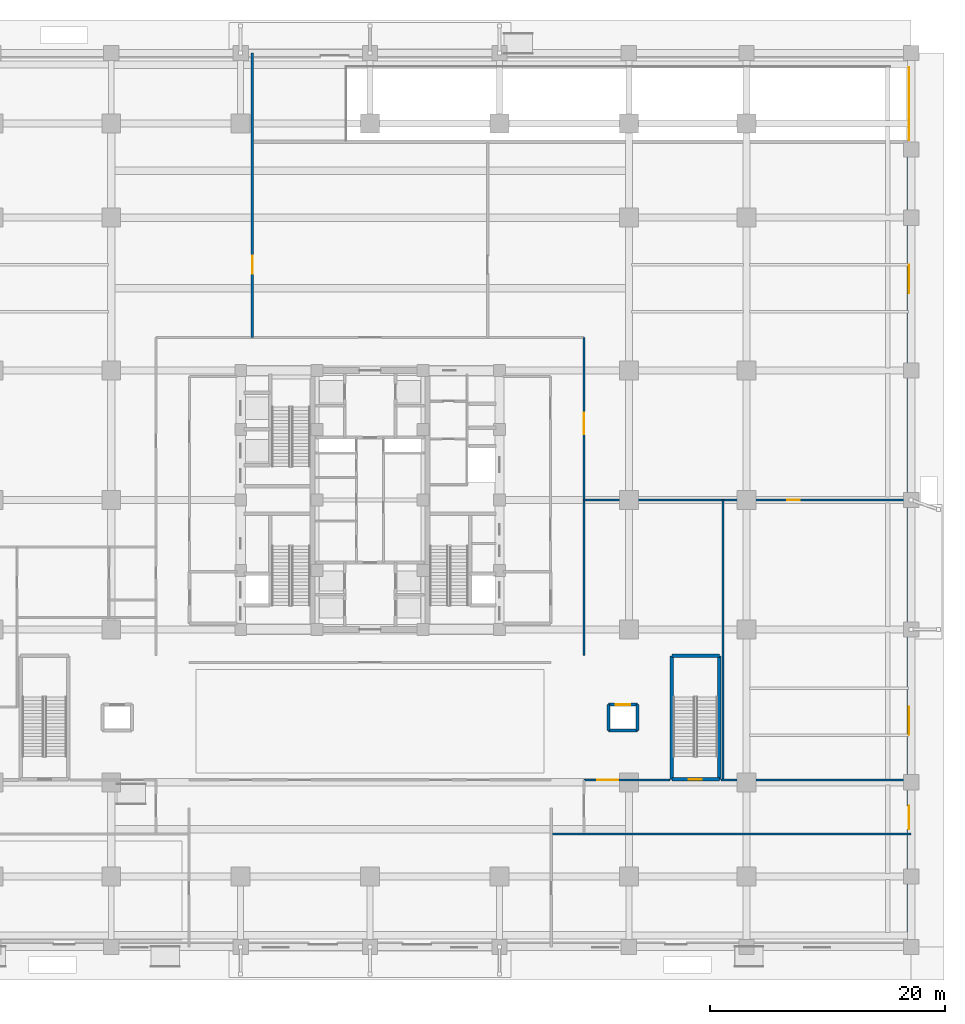
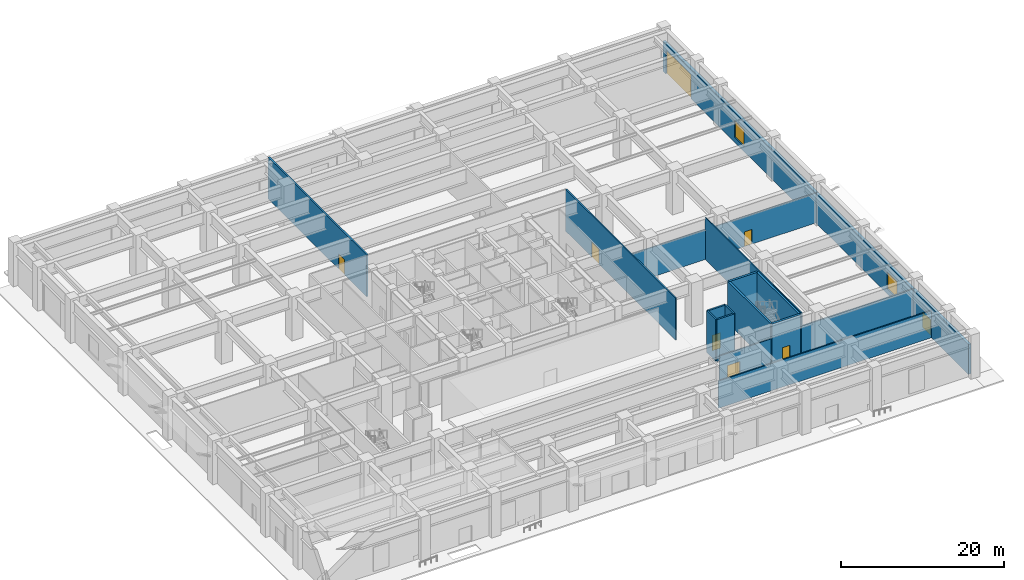
# One storey, part 12 of 21: 16 walls, 8 doors, 2 windows, 10 openings.
"""IFC4 building model written with IfcOpenShell, lengths in metres."""

from ifc_helpers import new_model, si_unit, direction, frame, frame_2d, origin, place, context, subcontext, project, spatial, rectangle, extrude, source, transform, mapped, material, layer, layer_set, type_object, element, fill, save


model = new_model("IFC4")

# Units and contexts
model_context = context("Model", 3, precision=1e-05, world=origin(), true_north=direction((0.0, 1.0)))
body_context = subcontext(model_context, "Body", "Model", "MODEL_VIEW")
ifc_project = project(units=[si_unit("LENGTHUNIT", "METRE"), si_unit("AREAUNIT", "SQUARE_METRE"), si_unit("VOLUMEUNIT", "CUBIC_METRE"), si_unit("PLANEANGLEUNIT", "RADIAN"), si_unit("MASSUNIT", "GRAM", prefix="KILO")], contexts=[model_context])

# Site, building, storey
site_placement = place(None, origin())
site = spatial("IfcSite", under=ifc_project, at=site_placement, CompositionType="ELEMENT")
building_placement = place(site_placement, origin())
building = spatial("IfcBuilding", under=site, at=building_placement, Name="Khorayat Bourse Tower", CompositionType="ELEMENT")
storey_placement = place(building_placement, origin())
storey = spatial("IfcBuildingStorey", under=building, at=storey_placement, Name="L00", CompositionType="ELEMENT", Elevation=0.0)

# Wall, openings, doors, windows
ifc_material_1 = material(Name="Precast concrete C45/55", Category="concrete")
ifc_layer_1 = layer(ifc_material_1, 0.3798828125)
ifc_layer_set_1 = layer_set([ifc_layer_1], Name="Precast concrete C45/55")
wall_type_1 = type_object("IfcWallType", Name="WAL-EXT-STONE-380", PredefinedType="STANDARD", material=ifc_layer_set_1)
shared_shape_1 = source(origin(), body_context, "Body", "SweptSolid", [
    extrude(rectangle(XDim=75.10009765625, YDim=0.3798828125, at=frame_2d((37.550048828125, 0.0))), origin(), (0.0, 0.0, 1.0), 4.47998046875),
])
wall_1_placement = place(storey_placement, frame((45.81005859375, 37.550048828125, 0.0), z_axis=(0.0, 0.0, 1.0), x_axis=(0.0, -1.0, 0.0)))
wall_1 = element("IfcWall", 1, at=wall_1_placement, inside=storey, type_object=wall_type_1, Name="L00 Exterior Limestone Wall WAL-L00-EXT-EF", PredefinedType="STANDARD", context=body_context, shape_type="MappedRepresentation", body=[
    mapped(shared_shape_1, transform((0.0, 0.0, 0.0), scale=1.0)),
])
shared_shape_2 = source(origin(), body_context, "Body", "SweptSolid", [
    extrude(rectangle(XDim=2.0, YDim=2.300048828125, at=frame_2d((1.0, 1.14990234375))), frame((0.0, 0.199951171875, 0.0), z_axis=(0.0, -1.0, 0.0), x_axis=(1.0, 0.0, 0.0)), (0.0, 0.0, 1.0), 0.39990234375),
])
opening_1_placement = place(wall_1_placement, frame((63.550048828125, 0.0, 0.0)))
opening_1 = element("IfcOpeningElement", 2, at=opening_1_placement, cuts=wall_1, Name="Opening DE-02", PredefinedType="OPENING", context=body_context, shape_type="MappedRepresentation", body=[
    mapped(shared_shape_2, transform((0.0, 0.0, 0.0), scale=1.0)),
])
shared_shape_3 = source(origin(), body_context, "Body", "SweptSolid", [
    extrude(rectangle(XDim=6.199951171875, YDim=3.60009765625, at=frame_2d((3.10009765625, 1.800048828125))), frame((0.0, 0.199951171875, 0.0), z_axis=(0.0, -1.0, 0.0), x_axis=(1.0, 0.0, 0.0)), (0.0, 0.0, 1.0), 0.39990234375),
])
opening_2_placement = place(wall_1_placement, frame((0.75, 0.0, 0.0)))
opening_2 = element("IfcOpeningElement", 3, at=opening_2_placement, cuts=wall_1, Name="Opening VG-01", PredefinedType="OPENING", context=body_context, shape_type="MappedRepresentation", body=[
    mapped(shared_shape_3, transform((0.0, 0.0, 0.0), scale=1.0)),
])
shared_shape_4 = source(origin(), body_context, "Body", "SweptSolid", [
    extrude(rectangle(XDim=2.39990234375, YDim=2.60009765625, at=frame_2d((1.199951171875, 1.300048828125))), frame((0.0, 0.199951171875, 0.0), z_axis=(0.0, -1.0, 0.0), x_axis=(1.0, 0.0, 0.0)), (0.0, 0.0, 1.0), 0.39990234375),
])
opening_3_placement = place(wall_1_placement, frame((17.574951171875, 0.0, 0.699951171875)))
opening_3 = element("IfcOpeningElement", 4, at=opening_3_placement, cuts=wall_1, Name="Opening WN-01", PredefinedType="OPENING", context=body_context, shape_type="MappedRepresentation", body=[
    mapped(shared_shape_4, transform((0.0, 0.0, 0.0), scale=1.0)),
])
opening_4_placement = place(wall_1_placement, frame((55.125, 0.0, 0.699951171875)))
opening_4 = element("IfcOpeningElement", 5, at=opening_4_placement, cuts=wall_1, Name="Opening WN-01", PredefinedType="OPENING", context=body_context, shape_type="MappedRepresentation", body=[
    mapped(shared_shape_4, transform((0.0, 0.0, 0.0), scale=1.0)),
])
ifc_material_2 = material(Name="Thermally broken steel exit leaf", Category="steel")
door_type_1 = type_object("IfcDoorType", Name="DR-EXT-EXIT-2000", OperationType="NOTDEFINED", PredefinedType="DOOR", material=ifc_material_2)
shared_shape_5 = source(origin(), body_context, "Body", "SweptSolid", [
    extrude(rectangle(XDim=2.0, YDim=2.300048828125, at=frame_2d((1.0, 1.14990234375))), frame((0.0, 0.02490234375, 0.0), z_axis=(0.0, -1.0, 0.0), x_axis=(1.0, 0.0, 0.0)), (0.0, 0.0, 1.0), 0.050048828125),
])
door_1_placement = place(opening_1_placement, origin())
door_1 = element("IfcDoor", 6, at=door_1_placement, inside=storey, type_object=door_type_1, Name="L00 East Final Exit Discharge Door", OperationType="SINGLE_SWING_LEFT", OverallHeight=2.300048828125, OverallWidth=2.0, PredefinedType="DOOR", context=body_context, shape_type="MappedRepresentation", body=[
    mapped(shared_shape_5, transform((0.0, 0.0, 0.0), scale=1.0)),
])
fill(opening_1, door_1)
ifc_material_3 = material(Name="Low-E solar-control laminated double glazing", Category="glass")
window_type = type_object("IfcWindowType", Name="WIN-POD-2400x2600", PartitioningType="SINGLE_PANEL", PredefinedType="WINDOW", material=ifc_material_3)
shared_shape_6 = source(origin(), body_context, "Body", "SweptSolid", [
    extrude(rectangle(XDim=2.39990234375, YDim=2.60009765625, at=frame_2d((1.199951171875, 1.300048828125))), frame((0.0, 0.030029296875, 0.0), z_axis=(0.0, -1.0, 0.0), x_axis=(1.0, 0.0, 0.0)), (0.0, 0.0, 1.0), 0.06005859375),
])
window_1_placement = place(opening_3_placement, origin())
window_1 = element("IfcWindow", 7, at=window_1_placement, inside=storey, type_object=window_type, Name="L00 Facade Window 1", OverallHeight=2.60009765625, OverallWidth=2.39990234375, PartitioningType="SINGLE_PANEL", PredefinedType="WINDOW", context=body_context, shape_type="MappedRepresentation", body=[
    mapped(shared_shape_6, transform((0.0, 0.0, 0.0), scale=1.0)),
])
fill(opening_3, window_1)
window_2_placement = place(opening_4_placement, origin())
window_2 = element("IfcWindow", 8, at=window_2_placement, inside=storey, type_object=window_type, Name="L00 Facade Window 3", OverallHeight=2.60009765625, OverallWidth=2.39990234375, PartitioningType="SINGLE_PANEL", PredefinedType="WINDOW", context=body_context, shape_type="MappedRepresentation", body=[
    mapped(shared_shape_6, transform((0.0, 0.0, 0.0), scale=1.0)),
])
fill(opening_4, window_2)
ifc_material_4 = material(Name="Insulated galvanised steel roller shutter", Category="steel")
door_type_2 = type_object("IfcDoorType", Name="DR-GATE-VEH-6200", OperationType="NOTDEFINED", PredefinedType="GATE", material=ifc_material_4)
shared_shape_7 = source(origin(), body_context, "Body", "SweptSolid", [
    extrude(rectangle(XDim=6.199951171875, YDim=3.60009765625, at=frame_2d((3.10009765625, 1.800048828125))), frame((0.0, 0.02490234375, 0.0), z_axis=(0.0, -1.0, 0.0), x_axis=(1.0, 0.0, 0.0)), (0.0, 0.0, 1.0), 0.050048828125),
])
door_2_placement = place(opening_2_placement, origin())
door_2 = element("IfcDoor", 9, at=door_2_placement, inside=storey, type_object=door_type_2, Name="L00 Car Park Vehicular Ramp Shutter Gate", OperationType="ROLLINGUP", OverallHeight=3.60009765625, OverallWidth=6.199951171875, PredefinedType="GATE", context=body_context, shape_type="MappedRepresentation", body=[
    mapped(shared_shape_7, transform((0.0, 0.0, 0.0), scale=1.0)),
])
fill(opening_2, door_2)

# Wall, opening, door
ifc_material_5 = material(Name="Concrete C50/60", Category="concrete")
ifc_layer_2 = layer(ifc_material_5, 0.300048828125)
ifc_layer_set_2 = layer_set([ifc_layer_2], Name="Concrete C50/60")
wall_type_2 = type_object("IfcWallType", Name="WAL-SHAFT-300", PredefinedType="SHEAR", material=ifc_layer_set_2)
shared_shape_8 = source(origin(), body_context, "Body", "SweptSolid", [
    extrude(rectangle(XDim=4.050048828125, YDim=0.300048828125, at=frame_2d((2.02490234375, 0.0))), origin(), (0.0, 0.0, 1.0), 6.280029296875),
])
wall_2_placement = place(storey_placement, frame((25.64990234375, -23.75, 0.0), z_axis=(0.0, 0.0, 1.0), x_axis=(1.0, 0.0, 0.0)))
wall_2 = element("IfcWall", 10, at=wall_2_placement, inside=storey, type_object=wall_type_2, Name="L00 Partition WAL-L00-STP2-S", PredefinedType="SHEAR", context=body_context, shape_type="MappedRepresentation", body=[
    mapped(shared_shape_8, transform((0.0, 0.0, 0.0), scale=1.0)),
])
shared_shape_9 = source(origin(), body_context, "Body", "SweptSolid", [
    extrude(rectangle(XDim=1.10009765625, YDim=2.199951171875, at=frame_2d((0.550048828125, 1.10009765625))), frame((0.0, 0.159912109375, 0.0), z_axis=(0.0, -1.0, 0.0), x_axis=(1.0, 0.0, 0.0)), (0.0, 0.0, 1.0), 0.320068359375),
])
opening_5_placement = place(wall_2_placement, frame((1.449951171875, 0.0, 0.0)))
opening_5 = element("IfcOpeningElement", 11, at=opening_5_placement, cuts=wall_2, Name="Opening DI-01", PredefinedType="OPENING", context=body_context, shape_type="MappedRepresentation", body=[
    mapped(shared_shape_9, transform((0.0, 0.0, 0.0), scale=1.0)),
])
ifc_material_6 = material(Name="Fire-rated steel acoustic leaf", Category="steel")
door_type_3 = type_object("IfcDoorType", Name="DR-INT-STAIR-1100", OperationType="NOTDEFINED", PredefinedType="DOOR", material=ifc_material_6)
shared_shape_10 = source(origin(), body_context, "Body", "SweptSolid", [
    extrude(rectangle(XDim=1.10009765625, YDim=2.199951171875, at=frame_2d((0.550048828125, 1.10009765625))), frame((0.0, 0.02490234375, 0.0), z_axis=(0.0, -1.0, 0.0), x_axis=(1.0, 0.0, 0.0)), (0.0, 0.0, 1.0), 0.050048828125),
])
door_3_placement = place(opening_5_placement, origin())
door_3 = element("IfcDoor", 12, at=door_3_placement, inside=storey, type_object=door_type_3, Name="L00 Podium Stair P2 Door", OperationType="SINGLE_SWING_LEFT", OverallHeight=2.199951171875, OverallWidth=1.10009765625, PredefinedType="DOOR", context=body_context, shape_type="MappedRepresentation", body=[
    mapped(shared_shape_10, transform((0.0, 0.0, 0.0), scale=1.0)),
])
fill(opening_5, door_3)

# Walls
wall_3_placement = place(storey_placement, frame((25.64990234375, -13.25, 0.0), z_axis=(0.0, 0.0, 1.0), x_axis=(1.0, 0.0, 0.0)))
element("IfcWall", 13, at=wall_3_placement, inside=storey, type_object=wall_type_2, Name="L00 Partition WAL-L00-STP2-N", PredefinedType="SHEAR", context=body_context, shape_type="MappedRepresentation", body=[
    mapped(shared_shape_8, transform((0.0, 0.0, 0.0), scale=1.0)),
])
shared_shape_11 = source(origin(), body_context, "Body", "SweptSolid", [
    extrude(rectangle(XDim=10.5, YDim=0.300048828125, at=frame_2d((5.25, 0.0))), origin(), (0.0, 0.0, 1.0), 6.280029296875),
])
for number, where, z_axis, x_axis, name in (
    (14, (25.64990234375, -23.75, 0.0), (0.0, 0.0, 1.0), (0.0, 1.0, 0.0), "L00 Partition WAL-L00-STP2-W"),
    (15, (29.699951171875, -23.75, 0.0), (0.0, 0.0, 1.0), (0.0, 1.0, 0.0), "L00 Partition WAL-L00-STP2-E"),
):
    element("IfcWall", number, at=place(storey_placement, frame(where, z_axis=z_axis, x_axis=x_axis)), inside=storey, type_object=wall_type_2, Name=name, PredefinedType="SHEAR", context=body_context, shape_type="MappedRepresentation", body=[
        mapped(shared_shape_11, transform((0.0, 0.0, 0.0), scale=1.0)),
    ])
shared_shape_12 = source(origin(), body_context, "Body", "SweptSolid", [
    extrude(rectangle(XDim=2.5, YDim=0.25, at=frame_2d((1.25, 0.0))), origin(), (0.0, 0.0, 1.0), 6.280029296875),
])
wall_4_placement = place(storey_placement, frame((20.25, -19.60009765625, 0.0), z_axis=(0.0, 0.0, 1.0), x_axis=(1.0, 0.0, 0.0)))
element("IfcWall", 16, at=wall_4_placement, inside=storey, type_object=wall_type_2, Name="L00 Partition WAL-L00-PLP2-S", PredefinedType="SHEAR", context=body_context, shape_type="MappedRepresentation", body=[
    mapped(shared_shape_12, transform((0.0, 0.0, 0.0), scale=1.0)),
])

# Wall, opening, door
wall_5_placement = place(storey_placement, frame((20.25, -17.39990234375, 0.0), z_axis=(0.0, 0.0, 1.0), x_axis=(1.0, 0.0, 0.0)))
wall_5 = element("IfcWall", 17, at=wall_5_placement, inside=storey, type_object=wall_type_2, Name="L00 Partition WAL-L00-PLP2-N", PredefinedType="SHEAR", context=body_context, shape_type="MappedRepresentation", body=[
    mapped(shared_shape_12, transform((0.0, 0.0, 0.0), scale=1.0)),
])
shared_shape_13 = source(origin(), body_context, "Body", "SweptSolid", [
    extrude(rectangle(XDim=1.199951171875, YDim=2.300048828125, at=frame_2d((0.60009765625, 1.14990234375))), frame((0.0, 0.135009765625, 0.0), z_axis=(0.0, -1.0, 0.0), x_axis=(1.0, 0.0, 0.0)), (0.0, 0.0, 1.0), 0.27001953125),
])
opening_6_placement = place(wall_5_placement, frame((0.64990234375, 0.0, 0.0)))
opening_6 = element("IfcOpeningElement", 18, at=opening_6_placement, cuts=wall_5, Name="Opening LD-01", PredefinedType="OPENING", context=body_context, shape_type="MappedRepresentation", body=[
    mapped(shared_shape_13, transform((0.0, 0.0, 0.0), scale=1.0)),
])
ifc_material_7 = material(Name="Brushed bronze stainless-steel sliding door", Category="steel")
door_type_4 = type_object("IfcDoorType", Name="DR-LIFT-PASS-1200", OperationType="NOTDEFINED", PredefinedType="DOOR", material=ifc_material_7)
shared_shape_14 = source(origin(), body_context, "Body", "SweptSolid", [
    extrude(rectangle(XDim=1.199951171875, YDim=2.300048828125, at=frame_2d((0.60009765625, 1.14990234375))), frame((0.0, 0.02490234375, 0.0), z_axis=(0.0, -1.0, 0.0), x_axis=(1.0, 0.0, 0.0)), (0.0, 0.0, 1.0), 0.050048828125),
])
door_4_placement = place(opening_6_placement, origin())
door_4 = element("IfcDoor", 19, at=door_4_placement, inside=storey, type_object=door_type_4, Name="L00 Lift PL-P2 Sliding Landing Door", OperationType="SLIDING_TO_LEFT", OverallHeight=2.300048828125, OverallWidth=1.199951171875, PredefinedType="DOOR", context=body_context, shape_type="MappedRepresentation", body=[
    mapped(shared_shape_14, transform((0.0, 0.0, 0.0), scale=1.0)),
])
fill(opening_6, door_4)

# Walls
shared_shape_15 = source(origin(), body_context, "Body", "SweptSolid", [
    extrude(rectangle(XDim=2.2001953125, YDim=0.25, at=frame_2d((1.10009765625, 0.0))), origin(), (0.0, 0.0, 1.0), 6.280029296875),
])
for number, where, z_axis, x_axis, name in (
    (20, (20.25, -19.60009765625, 0.0), (0.0, 0.0, 1.0), (0.0, 1.0, 0.0), "L00 Partition WAL-L00-PLP2-W"),
    (21, (22.75, -19.60009765625, 0.0), (0.0, 0.0, 1.0), (0.0, 1.0, 0.0), "L00 Partition WAL-L00-PLP2-E"),
):
    element("IfcWall", number, at=place(storey_placement, frame(where, z_axis=z_axis, x_axis=x_axis)), inside=storey, type_object=wall_type_2, Name=name, PredefinedType="SHEAR", context=body_context, shape_type="MappedRepresentation", body=[
        mapped(shared_shape_15, transform((0.0, 0.0, 0.0), scale=1.0)),
    ])
ifc_material_8 = material(Name="Gypsum plasterboard acoustic stud wall")
ifc_layer_3 = layer(ifc_material_8, 0.179931640625)
ifc_layer_set_3 = layer_set([ifc_layer_3], Name="Gypsum plasterboard acoustic stud wall")
wall_type_3 = type_object("IfcWallType", Name="WAL-PART-CORR-180", PredefinedType="PARTITIONING", material=ifc_layer_set_3)
shared_shape_16 = source(origin(), body_context, "Body", "SweptSolid", [
    extrude(rectangle(XDim=30.60009765625, YDim=0.179931640625, at=frame_2d((15.300048828125, 0.0))), origin(), (0.0, 0.0, 1.0), 4.080078125),
])
wall_6_placement = place(storey_placement, frame((15.39990234375, -28.39990234375, 0.0), z_axis=(0.0, 0.0, 1.0), x_axis=(1.0, 0.0, 0.0)))
element("IfcWall", 22, at=wall_6_placement, inside=storey, type_object=wall_type_3, Name="L00 Partition WAL-L00-RET-NE", PredefinedType="PARTITIONING", context=body_context, shape_type="MappedRepresentation", body=[
    mapped(shared_shape_16, transform((0.0, 0.0, 0.0), scale=1.0)),
])

# Wall, opening, door
shared_shape_17 = source(origin(), body_context, "Body", "SweptSolid", [
    extrude(rectangle(XDim=7.300048828125, YDim=0.179931640625, at=frame_2d((3.64990234375, 0.0))), origin(), (0.0, 0.0, 1.0), 4.080078125),
])
wall_7_placement = place(storey_placement, frame((18.199951171875, -23.800048828125, 0.0), z_axis=(0.0, 0.0, 1.0), x_axis=(1.0, 0.0, 0.0)))
wall_7 = element("IfcWall", 23, at=wall_7_placement, inside=storey, type_object=wall_type_3, Name="L00 Partition WAL-L00-EEX-N1", PredefinedType="PARTITIONING", context=body_context, shape_type="MappedRepresentation", body=[
    mapped(shared_shape_17, transform((0.0, 0.0, 0.0), scale=1.0)),
])
shared_shape_18 = source(origin(), body_context, "Body", "SweptSolid", [
    extrude(rectangle(XDim=1.800048828125, YDim=2.25, at=frame_2d((0.89990234375, 1.125))), frame((0.0, 0.099853515625, 0.0), z_axis=(0.0, -1.0, 0.0), x_axis=(1.0, 0.0, 0.0)), (0.0, 0.0, 1.0), 0.199951171875),
])
opening_7_placement = place(wall_7_placement, frame((1.10009765625, 0.0, 0.0)))
opening_7 = element("IfcOpeningElement", 24, at=opening_7_placement, cuts=wall_7, Name="Opening DI-03", PredefinedType="OPENING", context=body_context, shape_type="MappedRepresentation", body=[
    mapped(shared_shape_18, transform((0.0, 0.0, 0.0), scale=1.0)),
])
ifc_material_9 = material(Name="Fire-rated hardwood vision-panel double leaf", Category="wood")
door_type_5 = type_object("IfcDoorType", Name="DR-INT-CORR-1800", OperationType="NOTDEFINED", PredefinedType="DOOR", material=ifc_material_9)
shared_shape_19 = source(origin(), body_context, "Body", "SweptSolid", [
    extrude(rectangle(XDim=1.800048828125, YDim=2.25, at=frame_2d((0.89990234375, 1.125))), frame((0.0, 0.02490234375, 0.0), z_axis=(0.0, -1.0, 0.0), x_axis=(1.0, 0.0, 0.0)), (0.0, 0.0, 1.0), 0.050048828125),
])
door_5_placement = place(opening_7_placement, origin())
door_5 = element("IfcDoor", 25, at=door_5_placement, inside=storey, type_object=door_type_5, Name="L00 East Corridor Exit Passage Door", OperationType="SINGLE_SWING_RIGHT", OverallHeight=2.25, OverallWidth=1.800048828125, PredefinedType="DOOR", context=body_context, shape_type="MappedRepresentation", body=[
    mapped(shared_shape_19, transform((0.0, 0.0, 0.0), scale=1.0)),
])
fill(opening_7, door_5)

# Wall
shared_shape_20 = source(origin(), body_context, "Body", "SweptSolid", [
    extrude(rectangle(XDim=16.14990234375, YDim=0.179931640625, at=frame_2d((8.074951171875, 0.0))), origin(), (0.0, 0.0, 1.0), 4.47998046875),
])
wall_8_placement = place(storey_placement, frame((29.85009765625, -23.800048828125, 0.0), z_axis=(0.0, 0.0, 1.0), x_axis=(1.0, 0.0, 0.0)))
element("IfcWall", 26, at=wall_8_placement, inside=storey, type_object=wall_type_3, Name="L00 Partition WAL-L00-EEX-N2", PredefinedType="PARTITIONING", context=body_context, shape_type="MappedRepresentation", body=[
    mapped(shared_shape_20, transform((0.0, 0.0, 0.0), scale=1.0)),
])

# Wall, opening, door
shared_shape_21 = source(origin(), body_context, "Body", "SweptSolid", [
    extrude(rectangle(XDim=27.0, YDim=0.179931640625, at=frame_2d((13.5, 0.0))), origin(), (0.0, 0.0, 1.0), 6.280029296875),
])
wall_9_placement = place(storey_placement, frame((18.199951171875, -13.199951171875, 0.0), z_axis=(0.0, 0.0, 1.0), x_axis=(0.0, 1.0, 0.0)))
wall_9 = element("IfcWall", 27, at=wall_9_placement, inside=storey, type_object=wall_type_3, Name="L00 Partition WAL-L00-PCORRE-E", PredefinedType="PARTITIONING", context=body_context, shape_type="MappedRepresentation", body=[
    mapped(shared_shape_21, transform((0.0, 0.0, 0.0), scale=1.0)),
])
opening_8_placement = place(wall_9_placement, frame((18.800048828125, 0.0, 0.0)))
opening_8 = element("IfcOpeningElement", 28, at=opening_8_placement, cuts=wall_9, Name="Opening DI-03", PredefinedType="OPENING", context=body_context, shape_type="MappedRepresentation", body=[
    mapped(shared_shape_18, transform((0.0, 0.0, 0.0), scale=1.0)),
])
door_6_placement = place(opening_8_placement, origin())
door_6 = element("IfcDoor", 29, at=door_6_placement, inside=storey, type_object=door_type_5, Name="L00 Members Arrival Lounge Door", OperationType="SINGLE_SWING_RIGHT", OverallHeight=2.25, OverallWidth=1.800048828125, PredefinedType="DOOR", context=body_context, shape_type="MappedRepresentation", body=[
    mapped(shared_shape_19, transform((0.0, 0.0, 0.0), scale=1.0)),
])
fill(opening_8, door_6)

# Wall
ifc_material_10 = material(Name="Gypsum plasterboard twin-frame partition")
ifc_layer_4 = layer(ifc_material_10, 0.14990234375)
ifc_layer_set_4 = layer_set([ifc_layer_4], Name="Gypsum plasterboard twin-frame partition")
wall_type_4 = type_object("IfcWallType", Name="WAL-PART-SUITE-150", PredefinedType="PARTITIONING", material=ifc_layer_set_4)
shared_shape_22 = source(origin(), body_context, "Body", "SweptSolid", [
    extrude(rectangle(XDim=23.699951171875, YDim=0.14990234375, at=frame_2d((11.85009765625, 0.0))), origin(), (0.0, 0.0, 1.0), 6.280029296875),
])
wall_10_placement = place(storey_placement, frame((30.0, -23.699951171875, 0.0), z_axis=(0.0, 0.0, 1.0), x_axis=(0.0, 1.0, 0.0)))
element("IfcWall", 30, at=wall_10_placement, inside=storey, type_object=wall_type_4, Name="L00 Partition WAL-L00-PRESS-W", PredefinedType="PARTITIONING", context=body_context, shape_type="MappedRepresentation", body=[
    mapped(shared_shape_22, transform((0.0, 0.0, 0.0), scale=1.0)),
])

# Wall, opening, door
shared_shape_23 = source(origin(), body_context, "Body", "SweptSolid", [
    extrude(rectangle(XDim=27.800048828125, YDim=0.14990234375, at=frame_2d((13.89990234375, 0.0))), origin(), (0.0, 0.0, 1.0), 4.47998046875),
])
wall_11_placement = place(storey_placement, frame((18.199951171875, 0.0, 0.0), z_axis=(0.0, 0.0, 1.0), x_axis=(1.0, 0.0, 0.0)))
wall_11 = element("IfcWall", 31, at=wall_11_placement, inside=storey, type_object=wall_type_4, Name="L00 Partition WAL-L00-EF-1", PredefinedType="PARTITIONING", context=body_context, shape_type="MappedRepresentation", body=[
    mapped(shared_shape_23, transform((0.0, 0.0, 0.0), scale=1.0)),
])
shared_shape_24 = source(origin(), body_context, "Body", "SweptSolid", [
    extrude(rectangle(XDim=1.050048828125, YDim=2.199951171875, at=frame_2d((0.52490234375, 1.10009765625))), frame((0.0, 0.0849609375, 0.0), z_axis=(0.0, -1.0, 0.0), x_axis=(1.0, 0.0, 0.0)), (0.0, 0.0, 1.0), 0.169921875),
])
opening_9_placement = place(wall_11_placement, frame((17.27490234375, 0.0, 0.0)))
opening_9 = element("IfcOpeningElement", 32, at=opening_9_placement, cuts=wall_11, Name="Opening DI-04", PredefinedType="OPENING", context=body_context, shape_type="MappedRepresentation", body=[
    mapped(shared_shape_24, transform((0.0, 0.0, 0.0), scale=1.0)),
])
ifc_material_11 = material(Name="Fire-rated oak veneer suite entrance door")
door_type_6 = type_object("IfcDoorType", Name="DR-INT-SUITE-1050", OperationType="NOTDEFINED", PredefinedType="DOOR", material=ifc_material_11)
shared_shape_25 = source(origin(), body_context, "Body", "SweptSolid", [
    extrude(rectangle(XDim=1.050048828125, YDim=2.199951171875, at=frame_2d((0.52490234375, 1.10009765625))), frame((0.0, 0.02490234375, 0.0), z_axis=(0.0, -1.0, 0.0), x_axis=(1.0, 0.0, 0.0)), (0.0, 0.0, 1.0), 0.050048828125),
])
door_7_placement = place(opening_9_placement, origin())
door_7 = element("IfcDoor", 33, at=door_7_placement, inside=storey, type_object=door_type_6, Name="L00 Press Briefing Hall Door", OperationType="SINGLE_SWING_LEFT", OverallHeight=2.199951171875, OverallWidth=1.050048828125, PredefinedType="DOOR", context=body_context, shape_type="MappedRepresentation", body=[
    mapped(shared_shape_25, transform((0.0, 0.0, 0.0), scale=1.0)),
])
fill(opening_9, door_7)

ifc_material_12 = material(Name="Aerated concrete blockwork", Category="masonry")
ifc_layer_5 = layer(ifc_material_12, 0.219970703125)
ifc_layer_set_5 = layer_set([ifc_layer_5], Name="Aerated concrete blockwork")
wall_type_5 = type_object("IfcWallType", Name="WAL-PART-FF-220", PredefinedType="PARTITIONING", material=ifc_layer_set_5)
shared_shape_26 = source(origin(), body_context, "Body", "SweptSolid", [
    extrude(rectangle(XDim=24.199951171875, YDim=0.219970703125, at=frame_2d((12.10009765625, 0.0))), origin(), (0.0, 0.0, 1.0), 6.280029296875),
])
wall_12_placement = place(storey_placement, frame((-10.0, 13.800048828125, 0.0), z_axis=(0.0, 0.0, 1.0), x_axis=(0.0, 1.0, 0.0)))
wall_12 = element("IfcWall", 34, at=wall_12_placement, inside=storey, type_object=wall_type_5, Name="L00 Partition WAL-L00-NDOCK-E", PredefinedType="PARTITIONING", context=body_context, shape_type="MappedRepresentation", body=[
    mapped(shared_shape_26, transform((0.0, 0.0, 0.0), scale=1.0)),
])
shared_shape_27 = source(origin(), body_context, "Body", "SweptSolid", [
    extrude(rectangle(XDim=1.5, YDim=2.300048828125, at=frame_2d((0.75, 1.14990234375))), frame((0.0, 0.119873046875, 0.0), z_axis=(0.0, -1.0, 0.0), x_axis=(1.0, 0.0, 0.0)), (0.0, 0.0, 1.0), 0.239990234375),
])
opening_10_placement = place(wall_12_placement, frame((5.449951171875, 0.0, 0.0)))
opening_10 = element("IfcOpeningElement", 35, at=opening_10_placement, cuts=wall_12, Name="Opening DI-07", PredefinedType="OPENING", context=body_context, shape_type="MappedRepresentation", body=[
    mapped(shared_shape_27, transform((0.0, 0.0, 0.0), scale=1.0)),
])
ifc_material_13 = material(Name="Louvred fire-rated steel plant double door", Category="steel")
door_type_7 = type_object("IfcDoorType", Name="DR-INT-PLANT-1500", OperationType="NOTDEFINED", PredefinedType="DOOR", material=ifc_material_13)
shared_shape_28 = source(origin(), body_context, "Body", "SweptSolid", [
    extrude(rectangle(XDim=1.5, YDim=2.300048828125, at=frame_2d((0.75, 1.14990234375))), frame((0.0, 0.02490234375, 0.0), z_axis=(0.0, -1.0, 0.0), x_axis=(1.0, 0.0, 0.0)), (0.0, 0.0, 1.0), 0.050048828125),
])
door_8_placement = place(opening_10_placement, origin())
door_8 = element("IfcDoor", 36, at=door_8_placement, inside=storey, type_object=door_type_7, Name="L00 Loading Bay Lobby Door", OperationType="SINGLE_SWING_LEFT", OverallHeight=2.300048828125, OverallWidth=1.5, PredefinedType="DOOR", context=body_context, shape_type="MappedRepresentation", body=[
    mapped(shared_shape_28, transform((0.0, 0.0, 0.0), scale=1.0)),
])
fill(opening_10, door_8)

save(model, "model.ifc")
